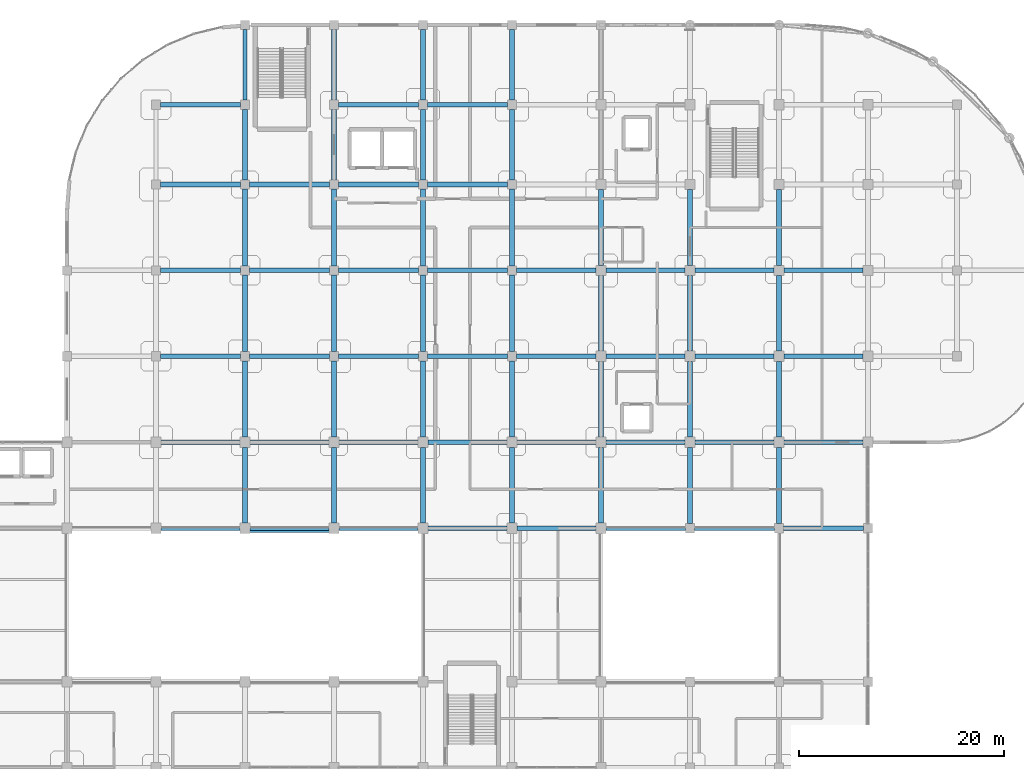
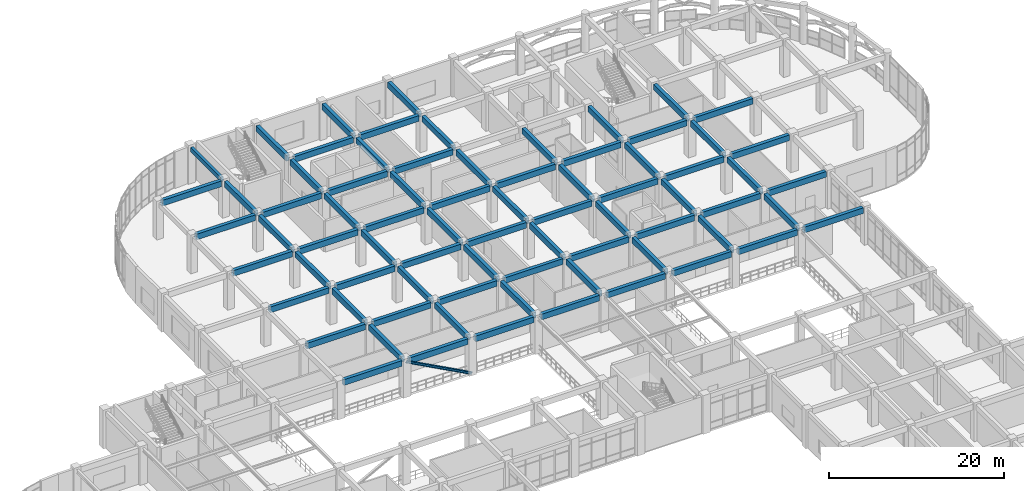
# One storey, part 46 of 114: 75 beams, 1 member.
"""IFC4 building model written with IfcOpenShell, lengths in metres."""

from ifc_helpers import new_model, si_unit, derived_unit, direction, frame, origin, origin_2d, place, context, subcontext, project, spatial, rectangle, i_section, extrude, material, material_profile, profile_set, type_object, element, save


model = new_model("IFC4")

# Units and contexts
model_context = context("Model", 3, precision=1e-05, world=origin(), true_north=direction((0.0, 1.0)))
body_context = subcontext(model_context, "Body", "Model", "MODEL_VIEW")
ifc_project = project(units=[si_unit("LENGTHUNIT", "METRE"), si_unit("AREAUNIT", "SQUARE_METRE"), si_unit("VOLUMEUNIT", "CUBIC_METRE"), si_unit("PLANEANGLEUNIT", "RADIAN"), si_unit("MASSUNIT", "GRAM", prefix="KILO"), derived_unit("THERMALTRANSMITTANCEUNIT", [(si_unit("MASSUNIT", "GRAM", prefix="KILO"), 1), (si_unit("TIMEUNIT", "SECOND"), -3), (si_unit("THERMODYNAMICTEMPERATUREUNIT", "KELVIN"), -1)])], contexts=[model_context])

# Site, building, storey
site_placement = place(None, origin())
site = spatial("IfcSite", under=ifc_project, at=site_placement, CompositionType="ELEMENT")
building_placement = place(site_placement, origin())
building = spatial("IfcBuilding", under=site, at=building_placement, Name="Qinzheling Arcade Emporium", CompositionType="ELEMENT")
storey_placement = place(building_placement, frame((0.0, 0.0, 6.0)))
storey = spatial("IfcBuildingStorey", under=building, at=storey_placement, Name="L02", CompositionType="ELEMENT", Elevation=6.0)

# Member
ifc_material_1 = material(Name="Structural steel Q355B", Category="steel")
ifc_material_profile_1 = material_profile(ifc_material_1, i_section(OverallWidth=0.300048828125, OverallDepth=0.300048828125, WebThickness=0.010009765625, FlangeThickness=0.014892578125, FilletRadius=0.01806640625, at=origin_2d()), Name="HW 300x300x10x15", Category="steel")
ifc_profile_set_1 = profile_set([ifc_material_profile_1], Name="Structural steel Q355B")
member_type = type_object("IfcMemberType", Name="Escalator Truss Stringer HW300 Q355B", PredefinedType="STRINGER", material=ifc_profile_set_1)
member_placement = place(storey_placement, frame((78.300048828125, 65.1201171875, 0.179931640625), z_axis=(-0.881080107144, 0.0, 0.472967065233), x_axis=(0.0, -1.0, 0.0)))
element("IfcMember", 1, at=member_placement, inside=storey, type_object=member_type, Name="Escalator Stringer ESC-STR-L02-2", PredefinedType="STRINGER", context=body_context, shape_type="SweptSolid", body=[
    extrude(i_section(OverallWidth=0.300048828125, OverallDepth=0.300048828125, WebThickness=0.010009765625, FlangeThickness=0.014892578125, FilletRadius=0.01806640625, at=origin_2d()), origin(), (0.0, 0.0, 1.0), 9.874267578125),
])

# Beams
ifc_material_2 = material(Name="Concrete C40", Category="concrete")
ifc_material_profile_2 = material_profile(ifc_material_2, rectangle(XDim=0.449951171875, YDim=0.800048828125, at=origin_2d()), Name="RC 450x800", Category="concrete")
ifc_profile_set_2 = profile_set([ifc_material_profile_2], Name="Concrete C40")
beam_type_1 = type_object("IfcBeamType", Name="RC Primary Frame Beam 450x800 C40", PredefinedType="BEAM", material=ifc_profile_set_2)
beam_1_placement = place(storey_placement, frame((61.39990234375, 65.39990234375, 4.719970703125), z_axis=(1.0, 0.0, 0.0), x_axis=(0.0, 1.0, 0.0)))
element("IfcBeam", 2, at=beam_1_placement, inside=storey, type_object=beam_type_1, Name="Beam BM-L02-X-H-8", PredefinedType="BEAM", context=body_context, shape_type="SweptSolid", body=[
    extrude(rectangle(XDim=0.449951171875, YDim=0.800048828125, at=origin_2d()), origin(), (0.0, 0.0, 1.0), 7.7001953125),
])
for number, where, z_axis, x_axis, name in (
    (3, (70.10009765625, 65.39990234375, 4.719970703125), (1.0, 0.0, 0.0), (0.0, 1.0, 0.0), "Beam BM-L02-X-H-9"),
    (4, (78.800048828125, 65.39990234375, 4.719970703125), (1.0, 0.0, 0.0), (0.0, 1.0, 0.0), "Beam BM-L02-X-H-10"),
    (5, (87.5, 65.39990234375, 4.719970703125), (1.0, 0.0, 0.0), (0.0, 1.0, 0.0), "Beam BM-L02-X-H-11"),
    (6, (96.199951171875, 65.39990234375, 4.719970703125), (1.0, 0.0, 0.0), (0.0, 1.0, 0.0), "Beam BM-L02-X-H-12"),
):
    element("IfcBeam", number, at=place(storey_placement, frame(where, z_axis=z_axis, x_axis=x_axis)), inside=storey, type_object=beam_type_1, Name=name, PredefinedType="BEAM", context=body_context, shape_type="SweptSolid", body=[
        extrude(rectangle(XDim=0.449951171875, YDim=0.800048828125, at=origin_2d()), origin(), (0.0, 0.0, 1.0), 7.699951171875),
    ])
beam_2_placement = place(storey_placement, frame((104.89990234375, 65.39990234375, 4.719970703125), z_axis=(1.0, 0.0, 0.0), x_axis=(0.0, 1.0, 0.0)))
element("IfcBeam", 7, at=beam_2_placement, inside=storey, type_object=beam_type_1, Name="Beam BM-L02-X-H-13", PredefinedType="BEAM", context=body_context, shape_type="SweptSolid", body=[
    extrude(rectangle(XDim=0.449951171875, YDim=0.800048828125, at=origin_2d()), origin(), (0.0, 0.0, 1.0), 7.75),
])
for number, where, z_axis, x_axis, name in (
    (8, (113.550048828125, 65.39990234375, 4.719970703125), (1.0, 0.0, 0.0), (0.0, 1.0, 0.0), "Beam BM-L02-X-H-14"),
    (9, (122.25, 65.39990234375, 4.719970703125), (1.0, 0.0, 0.0), (0.0, 1.0, 0.0), "Beam BM-L02-X-H-15"),
):
    element("IfcBeam", number, at=place(storey_placement, frame(where, z_axis=z_axis, x_axis=x_axis)), inside=storey, type_object=beam_type_1, Name=name, PredefinedType="BEAM", context=body_context, shape_type="SweptSolid", body=[
        extrude(rectangle(XDim=0.449951171875, YDim=0.800048828125, at=origin_2d()), origin(), (0.0, 0.0, 1.0), 7.800048828125),
    ])
beam_3_placement = place(storey_placement, frame((61.39990234375, 73.800048828125, 4.719970703125), z_axis=(1.0, 0.0, 0.0), x_axis=(0.0, 1.0, 0.0)))
element("IfcBeam", 10, at=beam_3_placement, inside=storey, type_object=beam_type_1, Name="Beam BM-L02-X-J-8", PredefinedType="BEAM", context=body_context, shape_type="SweptSolid", body=[
    extrude(rectangle(XDim=0.449951171875, YDim=0.800048828125, at=origin_2d()), origin(), (0.0, 0.0, 1.0), 7.7001953125),
])
for number, where, z_axis, x_axis, name in (
    (11, (70.10009765625, 73.800048828125, 4.719970703125), (1.0, 0.0, 0.0), (0.0, 1.0, 0.0), "Beam BM-L02-X-J-9"),
    (12, (78.800048828125, 73.800048828125, 4.719970703125), (1.0, 0.0, 0.0), (0.0, 1.0, 0.0), "Beam BM-L02-X-J-10"),
    (13, (87.5, 73.800048828125, 4.719970703125), (1.0, 0.0, 0.0), (0.0, 1.0, 0.0), "Beam BM-L02-X-J-11"),
    (14, (96.199951171875, 73.800048828125, 4.719970703125), (1.0, 0.0, 0.0), (0.0, 1.0, 0.0), "Beam BM-L02-X-J-12"),
):
    element("IfcBeam", number, at=place(storey_placement, frame(where, z_axis=z_axis, x_axis=x_axis)), inside=storey, type_object=beam_type_1, Name=name, PredefinedType="BEAM", context=body_context, shape_type="SweptSolid", body=[
        extrude(rectangle(XDim=0.449951171875, YDim=0.800048828125, at=origin_2d()), origin(), (0.0, 0.0, 1.0), 7.699951171875),
    ])
beam_4_placement = place(storey_placement, frame((104.89990234375, 73.800048828125, 4.719970703125), z_axis=(1.0, 0.0, 0.0), x_axis=(0.0, 1.0, 0.0)))
element("IfcBeam", 15, at=beam_4_placement, inside=storey, type_object=beam_type_1, Name="Beam BM-L02-X-J-13", PredefinedType="BEAM", context=body_context, shape_type="SweptSolid", body=[
    extrude(rectangle(XDim=0.449951171875, YDim=0.800048828125, at=origin_2d()), origin(), (0.0, 0.0, 1.0), 7.7001953125),
])
for number, where, z_axis, x_axis, name in (
    (16, (113.60009765625, 73.800048828125, 4.719970703125), (1.0, 0.0, 0.0), (0.0, 1.0, 0.0), "Beam BM-L02-X-J-14"),
    (17, (122.300048828125, 73.800048828125, 4.719970703125), (1.0, 0.0, 0.0), (0.0, 1.0, 0.0), "Beam BM-L02-X-J-15"),
):
    element("IfcBeam", number, at=place(storey_placement, frame(where, z_axis=z_axis, x_axis=x_axis)), inside=storey, type_object=beam_type_1, Name=name, PredefinedType="BEAM", context=body_context, shape_type="SweptSolid", body=[
        extrude(rectangle(XDim=0.449951171875, YDim=0.800048828125, at=origin_2d()), origin(), (0.0, 0.0, 1.0), 7.699951171875),
    ])
beam_5_placement = place(storey_placement, frame((61.35009765625, 82.199951171875, 4.68994140625), z_axis=(1.0, 0.0, 0.0), x_axis=(0.0, 1.0, 0.0)))
element("IfcBeam", 18, at=beam_5_placement, inside=storey, type_object=beam_type_1, Name="Beam BM-L02-X-K-8", PredefinedType="BEAM", context=body_context, shape_type="SweptSolid", body=[
    extrude(rectangle(XDim=0.449951171875, YDim=0.800048828125, at=origin_2d()), origin(), (0.0, 0.0, 1.0), 7.7998046875),
])
for number, where, z_axis, x_axis, name in (
    (19, (70.050048828125, 82.199951171875, 4.68994140625), (1.0, 0.0, 0.0), (0.0, 1.0, 0.0), "Beam BM-L02-X-K-9"),
    (20, (78.75, 82.199951171875, 4.68994140625), (1.0, 0.0, 0.0), (0.0, 1.0, 0.0), "Beam BM-L02-X-K-10"),
    (21, (87.449951171875, 82.199951171875, 4.68994140625), (1.0, 0.0, 0.0), (0.0, 1.0, 0.0), "Beam BM-L02-X-K-11"),
):
    element("IfcBeam", number, at=place(storey_placement, frame(where, z_axis=z_axis, x_axis=x_axis)), inside=storey, type_object=beam_type_1, Name=name, PredefinedType="BEAM", context=body_context, shape_type="SweptSolid", body=[
        extrude(rectangle(XDim=0.449951171875, YDim=0.800048828125, at=origin_2d()), origin(), (0.0, 0.0, 1.0), 7.800048828125),
    ])
beam_6_placement = place(storey_placement, frame((96.14990234375, 82.199951171875, 4.68994140625), z_axis=(1.0, 0.0, 0.0), x_axis=(0.0, 1.0, 0.0)))
element("IfcBeam", 22, at=beam_6_placement, inside=storey, type_object=beam_type_1, Name="Beam BM-L02-X-K-12", PredefinedType="BEAM", context=body_context, shape_type="SweptSolid", body=[
    extrude(rectangle(XDim=0.449951171875, YDim=0.800048828125, at=origin_2d()), origin(), (0.0, 0.0, 1.0), 7.75),
])
beam_7_placement = place(storey_placement, frame((104.89990234375, 82.199951171875, 4.735107421875), z_axis=(1.0, 0.0, 0.0), x_axis=(0.0, 1.0, 0.0)))
element("IfcBeam", 23, at=beam_7_placement, inside=storey, type_object=beam_type_1, Name="Beam BM-L02-X-K-13", PredefinedType="BEAM", context=body_context, shape_type="SweptSolid", body=[
    extrude(rectangle(XDim=0.449951171875, YDim=0.800048828125, at=origin_2d()), origin(), (0.0, 0.0, 1.0), 7.7001953125),
])
for number, where, z_axis, x_axis, name in (
    (24, (113.60009765625, 82.199951171875, 4.735107421875), (1.0, 0.0, 0.0), (0.0, 1.0, 0.0), "Beam BM-L02-X-K-14"),
    (25, (122.300048828125, 82.199951171875, 4.735107421875), (1.0, 0.0, 0.0), (0.0, 1.0, 0.0), "Beam BM-L02-X-K-15"),
):
    element("IfcBeam", number, at=place(storey_placement, frame(where, z_axis=z_axis, x_axis=x_axis)), inside=storey, type_object=beam_type_1, Name=name, PredefinedType="BEAM", context=body_context, shape_type="SweptSolid", body=[
        extrude(rectangle(XDim=0.449951171875, YDim=0.800048828125, at=origin_2d()), origin(), (0.0, 0.0, 1.0), 7.699951171875),
    ])
beam_8_placement = place(storey_placement, frame((61.35009765625, 90.60009765625, 4.68994140625), z_axis=(1.0, 0.0, 0.0), x_axis=(0.0, 1.0, 0.0)))
element("IfcBeam", 26, at=beam_8_placement, inside=storey, type_object=beam_type_1, Name="Beam BM-L02-X-L-8", PredefinedType="BEAM", context=body_context, shape_type="SweptSolid", body=[
    extrude(rectangle(XDim=0.449951171875, YDim=0.800048828125, at=origin_2d()), origin(), (0.0, 0.0, 1.0), 7.7998046875),
])
for number, where, z_axis, x_axis, name in (
    (27, (70.050048828125, 90.60009765625, 4.68994140625), (1.0, 0.0, 0.0), (0.0, 1.0, 0.0), "Beam BM-L02-X-L-9"),
    (28, (78.75, 90.60009765625, 4.68994140625), (1.0, 0.0, 0.0), (0.0, 1.0, 0.0), "Beam BM-L02-X-L-10"),
    (29, (87.449951171875, 90.60009765625, 4.68994140625), (1.0, 0.0, 0.0), (0.0, 1.0, 0.0), "Beam BM-L02-X-L-11"),
):
    element("IfcBeam", number, at=place(storey_placement, frame(where, z_axis=z_axis, x_axis=x_axis)), inside=storey, type_object=beam_type_1, Name=name, PredefinedType="BEAM", context=body_context, shape_type="SweptSolid", body=[
        extrude(rectangle(XDim=0.449951171875, YDim=0.800048828125, at=origin_2d()), origin(), (0.0, 0.0, 1.0), 7.800048828125),
    ])
beam_9_placement = place(storey_placement, frame((96.14990234375, 90.60009765625, 4.68994140625), z_axis=(1.0, 0.0, 0.0), x_axis=(0.0, 1.0, 0.0)))
element("IfcBeam", 30, at=beam_9_placement, inside=storey, type_object=beam_type_1, Name="Beam BM-L02-X-L-12", PredefinedType="BEAM", context=body_context, shape_type="SweptSolid", body=[
    extrude(rectangle(XDim=0.449951171875, YDim=0.800048828125, at=origin_2d()), origin(), (0.0, 0.0, 1.0), 7.75),
])
beam_10_placement = place(storey_placement, frame((104.89990234375, 90.60009765625, 4.735107421875), z_axis=(1.0, 0.0, 0.0), x_axis=(0.0, 1.0, 0.0)))
element("IfcBeam", 31, at=beam_10_placement, inside=storey, type_object=beam_type_1, Name="Beam BM-L02-X-L-13", PredefinedType="BEAM", context=body_context, shape_type="SweptSolid", body=[
    extrude(rectangle(XDim=0.449951171875, YDim=0.800048828125, at=origin_2d()), origin(), (0.0, 0.0, 1.0), 7.7001953125),
])
for number, where, z_axis, x_axis, name in (
    (32, (113.60009765625, 90.60009765625, 4.735107421875), (1.0, 0.0, 0.0), (0.0, 1.0, 0.0), "Beam BM-L02-X-L-14"),
    (33, (122.300048828125, 90.60009765625, 4.735107421875), (1.0, 0.0, 0.0), (0.0, 1.0, 0.0), "Beam BM-L02-X-L-15"),
):
    element("IfcBeam", number, at=place(storey_placement, frame(where, z_axis=z_axis, x_axis=x_axis)), inside=storey, type_object=beam_type_1, Name=name, PredefinedType="BEAM", context=body_context, shape_type="SweptSolid", body=[
        extrude(rectangle(XDim=0.449951171875, YDim=0.800048828125, at=origin_2d()), origin(), (0.0, 0.0, 1.0), 7.699951171875),
    ])
beam_11_placement = place(storey_placement, frame((61.35009765625, 99.0, 4.68994140625), z_axis=(1.0, 0.0, 0.0), x_axis=(0.0, 1.0, 0.0)))
element("IfcBeam", 34, at=beam_11_placement, inside=storey, type_object=beam_type_1, Name="Beam BM-L02-X-M-8", PredefinedType="BEAM", context=body_context, shape_type="SweptSolid", body=[
    extrude(rectangle(XDim=0.449951171875, YDim=0.800048828125, at=origin_2d()), origin(), (0.0, 0.0, 1.0), 7.7998046875),
])
for number, where, z_axis, x_axis, name in (
    (35, (70.050048828125, 99.0, 4.68994140625), (1.0, 0.0, 0.0), (0.0, 1.0, 0.0), "Beam BM-L02-X-M-9"),
    (36, (78.75, 99.0, 4.68994140625), (1.0, 0.0, 0.0), (0.0, 1.0, 0.0), "Beam BM-L02-X-M-10"),
    (37, (87.449951171875, 99.0, 4.68994140625), (1.0, 0.0, 0.0), (0.0, 1.0, 0.0), "Beam BM-L02-X-M-11"),
):
    element("IfcBeam", number, at=place(storey_placement, frame(where, z_axis=z_axis, x_axis=x_axis)), inside=storey, type_object=beam_type_1, Name=name, PredefinedType="BEAM", context=body_context, shape_type="SweptSolid", body=[
        extrude(rectangle(XDim=0.449951171875, YDim=0.800048828125, at=origin_2d()), origin(), (0.0, 0.0, 1.0), 7.800048828125),
    ])
beam_12_placement = place(storey_placement, frame((61.35009765625, 106.800048828125, 4.68994140625), z_axis=(1.0, 0.0, 0.0), x_axis=(0.0, 1.0, 0.0)))
element("IfcBeam", 38, at=beam_12_placement, inside=storey, type_object=beam_type_1, Name="Beam BM-L02-X-N-8", PredefinedType="BEAM", context=body_context, shape_type="SweptSolid", body=[
    extrude(rectangle(XDim=0.449951171875, YDim=0.800048828125, at=origin_2d()), origin(), (0.0, 0.0, 1.0), 7.7998046875),
])
for number, where, z_axis, x_axis, name in (
    (39, (78.75, 106.800048828125, 4.68994140625), (1.0, 0.0, 0.0), (0.0, 1.0, 0.0), "Beam BM-L02-X-N-10"),
    (40, (87.449951171875, 106.800048828125, 4.68994140625), (1.0, 0.0, 0.0), (0.0, 1.0, 0.0), "Beam BM-L02-X-N-11"),
):
    element("IfcBeam", number, at=place(storey_placement, frame(where, z_axis=z_axis, x_axis=x_axis)), inside=storey, type_object=beam_type_1, Name=name, PredefinedType="BEAM", context=body_context, shape_type="SweptSolid", body=[
        extrude(rectangle(XDim=0.449951171875, YDim=0.800048828125, at=origin_2d()), origin(), (0.0, 0.0, 1.0), 7.800048828125),
    ])
beam_13_placement = place(storey_placement, frame((69.60009765625, 65.89990234375, 4.719970703125), z_axis=(0.0, 1.0, 0.0), x_axis=(-1.0, 0.0, 0.0)))
element("IfcBeam", 41, at=beam_13_placement, inside=storey, type_object=beam_type_1, Name="Beam BM-L02-Y-9-H", PredefinedType="BEAM", context=body_context, shape_type="SweptSolid", body=[
    extrude(rectangle(XDim=0.449951171875, YDim=0.800048828125, at=origin_2d()), origin(), (0.0, 0.0, 1.0), 7.400146484375),
])
beam_14_placement = place(storey_placement, frame((69.60009765625, 74.300048828125, 4.68994140625), z_axis=(0.0, 1.0, 0.0), x_axis=(-1.0, 0.0, 0.0)))
element("IfcBeam", 42, at=beam_14_placement, inside=storey, type_object=beam_type_1, Name="Beam BM-L02-Y-9-J", PredefinedType="BEAM", context=body_context, shape_type="SweptSolid", body=[
    extrude(rectangle(XDim=0.449951171875, YDim=0.800048828125, at=origin_2d()), origin(), (0.0, 0.0, 1.0), 7.449951171875),
])
for number, where, z_axis, x_axis, name in (
    (43, (69.60009765625, 82.64990234375, 4.68994140625), (0.0, 1.0, 0.0), (-1.0, 0.0, 0.0), "Beam BM-L02-Y-9-K"),
    (44, (69.60009765625, 91.050048828125, 4.68994140625), (0.0, 1.0, 0.0), (-1.0, 0.0, 0.0), "Beam BM-L02-Y-9-L"),
):
    element("IfcBeam", number, at=place(storey_placement, frame(where, z_axis=z_axis, x_axis=x_axis)), inside=storey, type_object=beam_type_1, Name=name, PredefinedType="BEAM", context=body_context, shape_type="SweptSolid", body=[
        extrude(rectangle(XDim=0.449951171875, YDim=0.800048828125, at=origin_2d()), origin(), (0.0, 0.0, 1.0), 7.5),
    ])
beam_15_placement = place(storey_placement, frame((69.60009765625, 99.449951171875, 4.68994140625), z_axis=(0.0, 1.0, 0.0), x_axis=(-1.0, 0.0, 0.0)))
element("IfcBeam", 45, at=beam_15_placement, inside=storey, type_object=beam_type_1, Name="Beam BM-L02-Y-9-M", PredefinedType="BEAM", context=body_context, shape_type="SweptSolid", body=[
    extrude(rectangle(XDim=0.449951171875, YDim=0.800048828125, at=origin_2d()), origin(), (0.0, 0.0, 1.0), 6.900146484375),
])
beam_16_placement = place(storey_placement, frame((78.300048828125, 65.89990234375, 4.719970703125), z_axis=(0.0, 1.0, 0.0), x_axis=(-1.0, 0.0, 0.0)))
element("IfcBeam", 46, at=beam_16_placement, inside=storey, type_object=beam_type_1, Name="Beam BM-L02-Y-10-H", PredefinedType="BEAM", context=body_context, shape_type="SweptSolid", body=[
    extrude(rectangle(XDim=0.449951171875, YDim=0.800048828125, at=origin_2d()), origin(), (0.0, 0.0, 1.0), 7.400146484375),
])
beam_17_placement = place(storey_placement, frame((78.300048828125, 74.300048828125, 4.68994140625), z_axis=(0.0, 1.0, 0.0), x_axis=(-1.0, 0.0, 0.0)))
element("IfcBeam", 47, at=beam_17_placement, inside=storey, type_object=beam_type_1, Name="Beam BM-L02-Y-10-J", PredefinedType="BEAM", context=body_context, shape_type="SweptSolid", body=[
    extrude(rectangle(XDim=0.449951171875, YDim=0.800048828125, at=origin_2d()), origin(), (0.0, 0.0, 1.0), 7.449951171875),
])
for number, where, z_axis, x_axis, name in (
    (48, (78.300048828125, 82.64990234375, 4.68994140625), (0.0, 1.0, 0.0), (-1.0, 0.0, 0.0), "Beam BM-L02-Y-10-K"),
    (49, (78.300048828125, 91.050048828125, 4.68994140625), (0.0, 1.0, 0.0), (-1.0, 0.0, 0.0), "Beam BM-L02-Y-10-L"),
):
    element("IfcBeam", number, at=place(storey_placement, frame(where, z_axis=z_axis, x_axis=x_axis)), inside=storey, type_object=beam_type_1, Name=name, PredefinedType="BEAM", context=body_context, shape_type="SweptSolid", body=[
        extrude(rectangle(XDim=0.449951171875, YDim=0.800048828125, at=origin_2d()), origin(), (0.0, 0.0, 1.0), 7.5),
    ])
beam_18_placement = place(storey_placement, frame((78.300048828125, 99.449951171875, 4.68994140625), z_axis=(0.0, 1.0, 0.0), x_axis=(-1.0, 0.0, 0.0)))
element("IfcBeam", 50, at=beam_18_placement, inside=storey, type_object=beam_type_1, Name="Beam BM-L02-Y-10-M", PredefinedType="BEAM", context=body_context, shape_type="SweptSolid", body=[
    extrude(rectangle(XDim=0.449951171875, YDim=0.800048828125, at=origin_2d()), origin(), (0.0, 0.0, 1.0), 6.900146484375),
])
beam_19_placement = place(storey_placement, frame((78.300048828125, 107.25, 4.68994140625), z_axis=(0.0, 1.0, 0.0), x_axis=(-1.0, 0.0, 0.0)))
element("IfcBeam", 51, at=beam_19_placement, inside=storey, type_object=beam_type_1, Name="Beam BM-L02-Y-10-N", PredefinedType="BEAM", context=body_context, shape_type="SweptSolid", body=[
    extrude(rectangle(XDim=0.449951171875, YDim=0.800048828125, at=origin_2d()), origin(), (0.0, 0.0, 1.0), 6.89990234375),
])
beam_20_placement = place(storey_placement, frame((87.0, 65.89990234375, 4.719970703125), z_axis=(0.0, 1.0, 0.0), x_axis=(-1.0, 0.0, 0.0)))
element("IfcBeam", 52, at=beam_20_placement, inside=storey, type_object=beam_type_1, Name="Beam BM-L02-Y-11-H", PredefinedType="BEAM", context=body_context, shape_type="SweptSolid", body=[
    extrude(rectangle(XDim=0.449951171875, YDim=0.800048828125, at=origin_2d()), origin(), (0.0, 0.0, 1.0), 7.400146484375),
])
beam_21_placement = place(storey_placement, frame((87.0, 74.300048828125, 4.68994140625), z_axis=(0.0, 1.0, 0.0), x_axis=(-1.0, 0.0, 0.0)))
element("IfcBeam", 53, at=beam_21_placement, inside=storey, type_object=beam_type_1, Name="Beam BM-L02-Y-11-J", PredefinedType="BEAM", context=body_context, shape_type="SweptSolid", body=[
    extrude(rectangle(XDim=0.449951171875, YDim=0.800048828125, at=origin_2d()), origin(), (0.0, 0.0, 1.0), 7.449951171875),
])
for number, where, z_axis, x_axis, name in (
    (54, (87.0, 82.64990234375, 4.68994140625), (0.0, 1.0, 0.0), (-1.0, 0.0, 0.0), "Beam BM-L02-Y-11-K"),
    (55, (87.0, 91.050048828125, 4.68994140625), (0.0, 1.0, 0.0), (-1.0, 0.0, 0.0), "Beam BM-L02-Y-11-L"),
):
    element("IfcBeam", number, at=place(storey_placement, frame(where, z_axis=z_axis, x_axis=x_axis)), inside=storey, type_object=beam_type_1, Name=name, PredefinedType="BEAM", context=body_context, shape_type="SweptSolid", body=[
        extrude(rectangle(XDim=0.449951171875, YDim=0.800048828125, at=origin_2d()), origin(), (0.0, 0.0, 1.0), 7.5),
    ])
beam_22_placement = place(storey_placement, frame((87.0, 99.449951171875, 4.68994140625), z_axis=(0.0, 1.0, 0.0), x_axis=(-1.0, 0.0, 0.0)))
element("IfcBeam", 56, at=beam_22_placement, inside=storey, type_object=beam_type_1, Name="Beam BM-L02-Y-11-M", PredefinedType="BEAM", context=body_context, shape_type="SweptSolid", body=[
    extrude(rectangle(XDim=0.449951171875, YDim=0.800048828125, at=origin_2d()), origin(), (0.0, 0.0, 1.0), 6.900146484375),
])
beam_23_placement = place(storey_placement, frame((87.0, 107.25, 4.68994140625), z_axis=(0.0, 1.0, 0.0), x_axis=(-1.0, 0.0, 0.0)))
element("IfcBeam", 57, at=beam_23_placement, inside=storey, type_object=beam_type_1, Name="Beam BM-L02-Y-11-N", PredefinedType="BEAM", context=body_context, shape_type="SweptSolid", body=[
    extrude(rectangle(XDim=0.449951171875, YDim=0.800048828125, at=origin_2d()), origin(), (0.0, 0.0, 1.0), 6.89990234375),
])
beam_24_placement = place(storey_placement, frame((95.699951171875, 65.89990234375, 4.719970703125), z_axis=(0.0, 1.0, 0.0), x_axis=(-1.0, 0.0, 0.0)))
element("IfcBeam", 58, at=beam_24_placement, inside=storey, type_object=beam_type_1, Name="Beam BM-L02-Y-12-H", PredefinedType="BEAM", context=body_context, shape_type="SweptSolid", body=[
    extrude(rectangle(XDim=0.449951171875, YDim=0.800048828125, at=origin_2d()), origin(), (0.0, 0.0, 1.0), 7.400146484375),
])
beam_25_placement = place(storey_placement, frame((95.699951171875, 74.300048828125, 4.68994140625), z_axis=(0.0, 1.0, 0.0), x_axis=(-1.0, 0.0, 0.0)))
element("IfcBeam", 59, at=beam_25_placement, inside=storey, type_object=beam_type_1, Name="Beam BM-L02-Y-12-J", PredefinedType="BEAM", context=body_context, shape_type="SweptSolid", body=[
    extrude(rectangle(XDim=0.449951171875, YDim=0.800048828125, at=origin_2d()), origin(), (0.0, 0.0, 1.0), 7.449951171875),
])
for number, where, z_axis, x_axis, name in (
    (60, (95.699951171875, 82.64990234375, 4.68994140625), (0.0, 1.0, 0.0), (-1.0, 0.0, 0.0), "Beam BM-L02-Y-12-K"),
    (61, (95.699951171875, 91.050048828125, 4.68994140625), (0.0, 1.0, 0.0), (-1.0, 0.0, 0.0), "Beam BM-L02-Y-12-L"),
):
    element("IfcBeam", number, at=place(storey_placement, frame(where, z_axis=z_axis, x_axis=x_axis)), inside=storey, type_object=beam_type_1, Name=name, PredefinedType="BEAM", context=body_context, shape_type="SweptSolid", body=[
        extrude(rectangle(XDim=0.449951171875, YDim=0.800048828125, at=origin_2d()), origin(), (0.0, 0.0, 1.0), 7.5),
    ])
beam_26_placement = place(storey_placement, frame((95.699951171875, 99.449951171875, 4.68994140625), z_axis=(0.0, 1.0, 0.0), x_axis=(-1.0, 0.0, 0.0)))
element("IfcBeam", 62, at=beam_26_placement, inside=storey, type_object=beam_type_1, Name="Beam BM-L02-Y-12-M", PredefinedType="BEAM", context=body_context, shape_type="SweptSolid", body=[
    extrude(rectangle(XDim=0.449951171875, YDim=0.800048828125, at=origin_2d()), origin(), (0.0, 0.0, 1.0), 6.900146484375),
])
beam_27_placement = place(storey_placement, frame((95.699951171875, 107.25, 4.68994140625), z_axis=(0.0, 1.0, 0.0), x_axis=(-1.0, 0.0, 0.0)))
element("IfcBeam", 63, at=beam_27_placement, inside=storey, type_object=beam_type_1, Name="Beam BM-L02-Y-12-N", PredefinedType="BEAM", context=body_context, shape_type="SweptSolid", body=[
    extrude(rectangle(XDim=0.449951171875, YDim=0.800048828125, at=origin_2d()), origin(), (0.0, 0.0, 1.0), 6.89990234375),
])
beam_28_placement = place(storey_placement, frame((104.39990234375, 65.89990234375, 4.719970703125), z_axis=(0.0, 1.0, 0.0), x_axis=(-1.0, 0.0, 0.0)))
element("IfcBeam", 64, at=beam_28_placement, inside=storey, type_object=beam_type_1, Name="Beam BM-L02-Y-13-H", PredefinedType="BEAM", context=body_context, shape_type="SweptSolid", body=[
    extrude(rectangle(XDim=0.449951171875, YDim=0.800048828125, at=origin_2d()), origin(), (0.0, 0.0, 1.0), 7.400146484375),
])
beam_29_placement = place(storey_placement, frame((104.39990234375, 74.300048828125, 4.68994140625), z_axis=(0.0, 1.0, 0.0), x_axis=(-1.0, 0.0, 0.0)))
element("IfcBeam", 65, at=beam_29_placement, inside=storey, type_object=beam_type_1, Name="Beam BM-L02-Y-13-J", PredefinedType="BEAM", context=body_context, shape_type="SweptSolid", body=[
    extrude(rectangle(XDim=0.449951171875, YDim=0.800048828125, at=origin_2d()), origin(), (0.0, 0.0, 1.0), 7.39990234375),
])
beam_30_placement = place(storey_placement, frame((104.39990234375, 82.699951171875, 4.68994140625), z_axis=(0.0, 1.0, 0.0), x_axis=(-1.0, 0.0, 0.0)))
element("IfcBeam", 66, at=beam_30_placement, inside=storey, type_object=beam_type_1, Name="Beam BM-L02-Y-13-K", PredefinedType="BEAM", context=body_context, shape_type="SweptSolid", body=[
    extrude(rectangle(XDim=0.449951171875, YDim=0.800048828125, at=origin_2d()), origin(), (0.0, 0.0, 1.0), 7.400146484375),
])
beam_31_placement = place(storey_placement, frame((104.39990234375, 91.10009765625, 4.68994140625), z_axis=(0.0, 1.0, 0.0), x_axis=(-1.0, 0.0, 0.0)))
element("IfcBeam", 67, at=beam_31_placement, inside=storey, type_object=beam_type_1, Name="Beam BM-L02-Y-13-L", PredefinedType="BEAM", context=body_context, shape_type="SweptSolid", body=[
    extrude(rectangle(XDim=0.449951171875, YDim=0.800048828125, at=origin_2d()), origin(), (0.0, 0.0, 1.0), 7.39990234375),
])
beam_32_placement = place(storey_placement, frame((113.10009765625, 65.85009765625, 4.719970703125), z_axis=(0.0, 1.0, 0.0), x_axis=(-1.0, 0.0, 0.0)))
element("IfcBeam", 68, at=beam_32_placement, inside=storey, type_object=beam_type_1, Name="Beam BM-L02-Y-14-H", PredefinedType="BEAM", context=body_context, shape_type="SweptSolid", body=[
    extrude(rectangle(XDim=0.449951171875, YDim=0.800048828125, at=origin_2d()), origin(), (0.0, 0.0, 1.0), 7.449951171875),
])
beam_33_placement = place(storey_placement, frame((113.10009765625, 74.300048828125, 4.735107421875), z_axis=(0.0, 1.0, 0.0), x_axis=(-1.0, 0.0, 0.0)))
element("IfcBeam", 69, at=beam_33_placement, inside=storey, type_object=beam_type_1, Name="Beam BM-L02-Y-14-J", PredefinedType="BEAM", context=body_context, shape_type="SweptSolid", body=[
    extrude(rectangle(XDim=0.449951171875, YDim=0.800048828125, at=origin_2d()), origin(), (0.0, 0.0, 1.0), 7.39990234375),
])
beam_34_placement = place(storey_placement, frame((113.10009765625, 82.699951171875, 4.735107421875), z_axis=(0.0, 1.0, 0.0), x_axis=(-1.0, 0.0, 0.0)))
element("IfcBeam", 70, at=beam_34_placement, inside=storey, type_object=beam_type_1, Name="Beam BM-L02-Y-14-K", PredefinedType="BEAM", context=body_context, shape_type="SweptSolid", body=[
    extrude(rectangle(XDim=0.449951171875, YDim=0.800048828125, at=origin_2d()), origin(), (0.0, 0.0, 1.0), 7.400146484375),
])
beam_35_placement = place(storey_placement, frame((113.10009765625, 91.10009765625, 4.735107421875), z_axis=(0.0, 1.0, 0.0), x_axis=(-1.0, 0.0, 0.0)))
element("IfcBeam", 71, at=beam_35_placement, inside=storey, type_object=beam_type_1, Name="Beam BM-L02-Y-14-L", PredefinedType="BEAM", context=body_context, shape_type="SweptSolid", body=[
    extrude(rectangle(XDim=0.449951171875, YDim=0.800048828125, at=origin_2d()), origin(), (0.0, 0.0, 1.0), 7.39990234375),
])
beam_36_placement = place(storey_placement, frame((121.800048828125, 65.85009765625, 4.719970703125), z_axis=(0.0, 1.0, 0.0), x_axis=(-1.0, 0.0, 0.0)))
element("IfcBeam", 72, at=beam_36_placement, inside=storey, type_object=beam_type_1, Name="Beam BM-L02-Y-15-H", PredefinedType="BEAM", context=body_context, shape_type="SweptSolid", body=[
    extrude(rectangle(XDim=0.449951171875, YDim=0.800048828125, at=origin_2d()), origin(), (0.0, 0.0, 1.0), 7.449951171875),
])
beam_37_placement = place(storey_placement, frame((121.800048828125, 74.300048828125, 4.735107421875), z_axis=(0.0, 1.0, 0.0), x_axis=(-1.0, 0.0, 0.0)))
element("IfcBeam", 73, at=beam_37_placement, inside=storey, type_object=beam_type_1, Name="Beam BM-L02-Y-15-J", PredefinedType="BEAM", context=body_context, shape_type="SweptSolid", body=[
    extrude(rectangle(XDim=0.449951171875, YDim=0.800048828125, at=origin_2d()), origin(), (0.0, 0.0, 1.0), 7.39990234375),
])
beam_38_placement = place(storey_placement, frame((121.800048828125, 82.699951171875, 4.735107421875), z_axis=(0.0, 1.0, 0.0), x_axis=(-1.0, 0.0, 0.0)))
element("IfcBeam", 74, at=beam_38_placement, inside=storey, type_object=beam_type_1, Name="Beam BM-L02-Y-15-K", PredefinedType="BEAM", context=body_context, shape_type="SweptSolid", body=[
    extrude(rectangle(XDim=0.449951171875, YDim=0.800048828125, at=origin_2d()), origin(), (0.0, 0.0, 1.0), 7.400146484375),
])
beam_39_placement = place(storey_placement, frame((121.800048828125, 91.10009765625, 4.735107421875), z_axis=(0.0, 1.0, 0.0), x_axis=(-1.0, 0.0, 0.0)))
element("IfcBeam", 75, at=beam_39_placement, inside=storey, type_object=beam_type_1, Name="Beam BM-L02-Y-15-L", PredefinedType="BEAM", context=body_context, shape_type="SweptSolid", body=[
    extrude(rectangle(XDim=0.449951171875, YDim=0.800048828125, at=origin_2d()), origin(), (0.0, 0.0, 1.0), 7.39990234375),
])
ifc_material_profile_3 = material_profile(ifc_material_2, rectangle(XDim=0.35009765625, YDim=0.64990234375, at=origin_2d()), Name="RC 350x650", Category="concrete")
ifc_profile_set_3 = profile_set([ifc_material_profile_3], Name="Concrete C40")
beam_type_2 = type_object("IfcBeamType", Name="RC Spandrel Edge Beam 350x650 C40", PredefinedType="SPANDREL", material=ifc_profile_set_3)
beam_40_placement = place(storey_placement, frame((69.60009765625, 107.25, 4.764892578125), z_axis=(0.0, 1.0, 0.0), x_axis=(-1.0, 0.0, 0.0)))
element("IfcBeam", 76, at=beam_40_placement, inside=storey, type_object=beam_type_2, Name="Beam BM-L02-Y-9-N", PredefinedType="SPANDREL", context=body_context, shape_type="SweptSolid", body=[
    extrude(rectangle(XDim=0.35009765625, YDim=0.64990234375, at=origin_2d()), origin(), (0.0, 0.0, 1.0), 6.89990234375),
])

save(model, "model.ifc")
